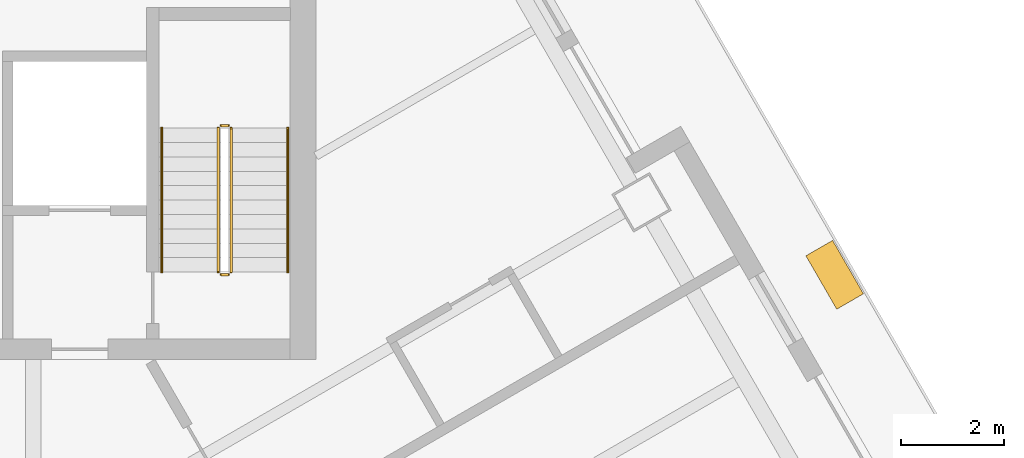
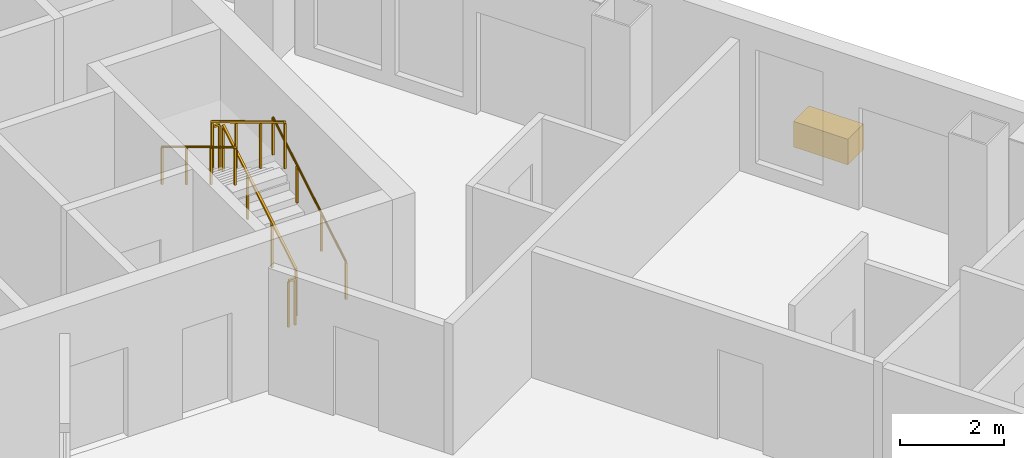
# One storey, part 14 of 14: 6 railings, 1 covering.
"""IFC4 building model written with IfcOpenShell, lengths in metres."""

from ifc_helpers import new_model, si_unit, direction, frame, origin, origin_2d, place, context, subcontext, project, spatial, rectangle, circle, extrude, material, type_object, element, save


model = new_model("IFC4")

# Units and contexts
model_context = context("Model", 3, precision=1e-05, world=origin(), true_north=direction((0.0, 1.0)))
body_context = subcontext(model_context, "Body", "Model", "MODEL_VIEW")
ifc_project = project(units=[si_unit("LENGTHUNIT", "METRE"), si_unit("AREAUNIT", "SQUARE_METRE"), si_unit("VOLUMEUNIT", "CUBIC_METRE"), si_unit("PLANEANGLEUNIT", "RADIAN"), si_unit("MASSUNIT", "GRAM", prefix="KILO")], contexts=[model_context])

# Site, building, storey
site_placement = place(None, origin())
site = spatial("IfcSite", under=ifc_project, at=site_placement, CompositionType="ELEMENT")
building_placement = place(site_placement, origin())
building = spatial("IfcBuilding", under=site, at=building_placement, Name="Apuvela Tower Hotel", CompositionType="ELEMENT")
storey_placement = place(building_placement, frame((0.0, 0.0, 150.300048828125)))
storey = spatial("IfcBuildingStorey", under=building, at=storey_placement, Name="L35", CompositionType="ELEMENT", Elevation=150.300048828125)

# Railings
ifc_material_1 = material(Name="Steel S275 balustrade", Category="steel")
railing_type_1 = type_object("IfcRailingType", Name="COR-GUARD-1100", PredefinedType="GUARDRAIL", material=ifc_material_1)
railing_1_placement = place(storey_placement, frame((3.85009765625, 14.60009765625, 0.168212890625)))
element("IfcRailing", 1, at=railing_1_placement, inside=storey, type_object=railing_type_1, Name="L35 ST1 stair guard 1", PredefinedType="GUARDRAIL", context=body_context, shape_type="SweptSolid", body=[
    extrude(rectangle(XDim=0.048095703125, YDim=0.048095703125, at=origin_2d()), frame((0.0, 0.0, 1.076171875), z_axis=(0.0, 0.857255387014, 0.514891446264), x_axis=(-1.0, 0.0, 0.0)), (0.0, 0.0, 1.0), 3.26611328125),
    extrude(rectangle(XDim=0.0419921875, YDim=0.0419921875, at=origin_2d()), origin(), (0.0, 0.0, 1.0), 1.052001953125),
    extrude(rectangle(XDim=0.0419921875, YDim=0.0419921875, at=origin_2d()), frame((0.0, 0.933349609375, 0.560546875)), (0.0, 0.0, 1.0), 1.052001953125),
    extrude(rectangle(XDim=0.0419921875, YDim=0.0419921875, at=origin_2d()), frame((0.0, 1.866455078125, 1.12109375)), (0.0, 0.0, 1.0), 1.052001953125),
    extrude(rectangle(XDim=0.0419921875, YDim=0.0419921875, at=origin_2d()), frame((0.0, 2.7998046875, 1.681640625)), (0.0, 0.0, 1.0), 1.052001953125),
])
railing_2_placement = place(storey_placement, frame((3.800048828125, 17.449951171875, 1.849853515625)))
element("IfcRailing", 2, at=railing_2_placement, inside=storey, type_object=railing_type_1, Name="L35 ST1 stair guard 2", PredefinedType="GUARDRAIL", context=body_context, shape_type="SweptSolid", body=[
    extrude(rectangle(XDim=0.048095703125, YDim=0.048095703125, at=origin_2d()), frame((0.0, 0.0, 1.076171875), z_axis=(-1.0, 0.0, 0.0), x_axis=(0.0, -1.0, 0.0)), (0.0, 0.0, 1.0), 0.150146484375),
    extrude(rectangle(XDim=0.0419921875, YDim=0.0419921875, at=origin_2d()), origin(), (0.0, 0.0, 1.0), 1.052001953125),
    extrude(rectangle(XDim=0.0419921875, YDim=0.0419921875, at=origin_2d()), frame((-0.150146484375, 0.0, 0.0)), (0.0, 0.0, 1.0), 1.052001953125),
])
railing_3_placement = place(storey_placement, frame((3.60009765625, 17.39990234375, 2.01806640625)))
element("IfcRailing", 3, at=railing_3_placement, inside=storey, type_object=railing_type_1, Name="L35 ST1 stair guard 3", PredefinedType="GUARDRAIL", context=body_context, shape_type="SweptSolid", body=[
    extrude(rectangle(XDim=0.048095703125, YDim=0.048095703125, at=origin_2d()), frame((0.0, 0.0, 1.076171875), z_axis=(0.0, -0.857222391501, 0.514946377315), x_axis=(1.0, 0.0, 0.0)), (0.0, 0.0, 1.0), 3.26611328125),
    extrude(rectangle(XDim=0.0419921875, YDim=0.0419921875, at=origin_2d()), origin(), (0.0, 0.0, 1.0), 1.052001953125),
    extrude(rectangle(XDim=0.0419921875, YDim=0.0419921875, at=origin_2d()), frame((0.0, -0.933349609375, 0.560546875)), (0.0, 0.0, 1.0), 1.052001953125),
    extrude(rectangle(XDim=0.0419921875, YDim=0.0419921875, at=origin_2d()), frame((0.0, -1.866455078125, 1.121337890625)), (0.0, 0.0, 1.0), 1.052001953125),
    extrude(rectangle(XDim=0.0419921875, YDim=0.0419921875, at=origin_2d()), frame((0.0, -2.7998046875, 1.681884765625)), (0.0, 0.0, 1.0), 1.052001953125),
])
railing_4_placement = place(storey_placement, frame((3.800048828125, 14.550048828125, 0.0)))
element("IfcRailing", 4, at=railing_4_placement, inside=storey, type_object=railing_type_1, Name="L35 ST1 stair guard 4", PredefinedType="GUARDRAIL", context=body_context, shape_type="SweptSolid", body=[
    extrude(rectangle(XDim=0.048095703125, YDim=0.048095703125, at=origin_2d()), frame((0.0, 0.0, 1.076171875), z_axis=(-1.0, 0.0, 0.0), x_axis=(0.0, -1.0, 0.0)), (0.0, 0.0, 1.0), 0.150146484375),
    extrude(rectangle(XDim=0.0419921875, YDim=0.0419921875, at=origin_2d()), origin(), (0.0, 0.0, 1.0), 1.052001953125),
    extrude(rectangle(XDim=0.0419921875, YDim=0.0419921875, at=origin_2d()), frame((-0.150146484375, 0.0, 0.0)), (0.0, 0.0, 1.0), 1.052001953125),
])
ifc_material_2 = material(Name="Stainless steel 316 handrail", Category="steel")
railing_type_2 = type_object("IfcRailingType", Name="COR-HANDRAIL-900", PredefinedType="HANDRAIL", material=ifc_material_2)
railing_5_placement = place(storey_placement, frame((4.949951171875, 14.60009765625, 0.168212890625)))
element("IfcRailing", 5, at=railing_5_placement, inside=storey, type_object=railing_type_2, Name="L35 ST1 stair handrail 1", PredefinedType="HANDRAIL", context=body_context, shape_type="SweptSolid", body=[
    extrude(circle(Radius=0.02392578125, at=origin_2d()), frame((0.0, 0.0, 0.8759765625), z_axis=(0.0, 0.857255387014, 0.514891446264), x_axis=(-1.0, 0.0, 0.0)), (0.0, 0.0, 1.0), 3.26611328125),
    extrude(rectangle(XDim=0.0419921875, YDim=0.0419921875, at=origin_2d()), origin(), (0.0, 0.0, 1.0), 0.851806640625),
    extrude(rectangle(XDim=0.0419921875, YDim=0.0419921875, at=origin_2d()), frame((0.0, 0.933349609375, 0.560546875)), (0.0, 0.0, 1.0), 0.851806640625),
    extrude(rectangle(XDim=0.0419921875, YDim=0.0419921875, at=origin_2d()), frame((0.0, 1.866455078125, 1.12109375)), (0.0, 0.0, 1.0), 0.851806640625),
    extrude(rectangle(XDim=0.0419921875, YDim=0.0419921875, at=origin_2d()), frame((0.0, 2.7998046875, 1.681640625)), (0.0, 0.0, 1.0), 0.851806640625),
])
railing_6_placement = place(storey_placement, frame((2.5, 17.39990234375, 2.01806640625)))
element("IfcRailing", 6, at=railing_6_placement, inside=storey, type_object=railing_type_2, Name="L35 ST1 stair handrail 2", PredefinedType="HANDRAIL", context=body_context, shape_type="SweptSolid", body=[
    extrude(circle(Radius=0.02392578125, at=origin_2d()), frame((0.0, 0.0, 0.8759765625), z_axis=(0.0, -0.857222391501, 0.514946377315), x_axis=(1.0, 0.0, 0.0)), (0.0, 0.0, 1.0), 3.26611328125),
    extrude(rectangle(XDim=0.0419921875, YDim=0.0419921875, at=origin_2d()), origin(), (0.0, 0.0, 1.0), 0.851806640625),
    extrude(rectangle(XDim=0.0419921875, YDim=0.0419921875, at=origin_2d()), frame((0.0, -0.933349609375, 0.560546875)), (0.0, 0.0, 1.0), 0.851806640625),
    extrude(rectangle(XDim=0.0419921875, YDim=0.0419921875, at=origin_2d()), frame((0.0, -1.866455078125, 1.121337890625)), (0.0, 0.0, 1.0), 0.851806640625),
    extrude(rectangle(XDim=0.0419921875, YDim=0.0419921875, at=origin_2d()), frame((0.0, -2.7998046875, 1.681884765625)), (0.0, 0.0, 1.0), 0.851806640625),
])

# Covering
ifc_material_3 = material(Name="Planting substrate and soil, planted")
covering_type = type_object("IfcCoveringType", Name="ENV-PLANTER-1200x600", PredefinedType="USERDEFINED", material=ifc_material_3)
covering_placement = place(storey_placement, frame((15.596435546875, 14.546142578125, 0.0), z_axis=(0.0, 0.0, 1.0), x_axis=(-0.5, 0.866025403784, 0.0)))
element("IfcCovering", 7, at=covering_placement, inside=storey, type_object=covering_type, Name="Planter NE3", ObjectType="PLANTER", PredefinedType="USERDEFINED", context=body_context, shape_type="SweptSolid", body=[
    extrude(rectangle(XDim=1.199951171875, YDim=0.60009765625, at=origin_2d()), origin(), (0.0, 0.0, 1.0), 0.60009765625),
])

save(model, "model.ifc")
